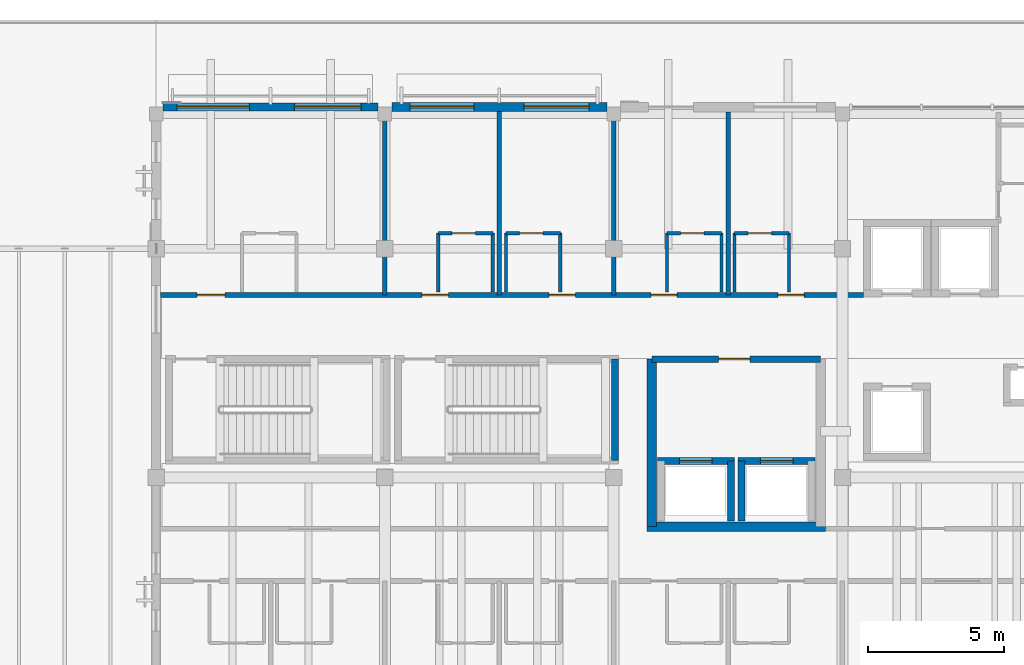
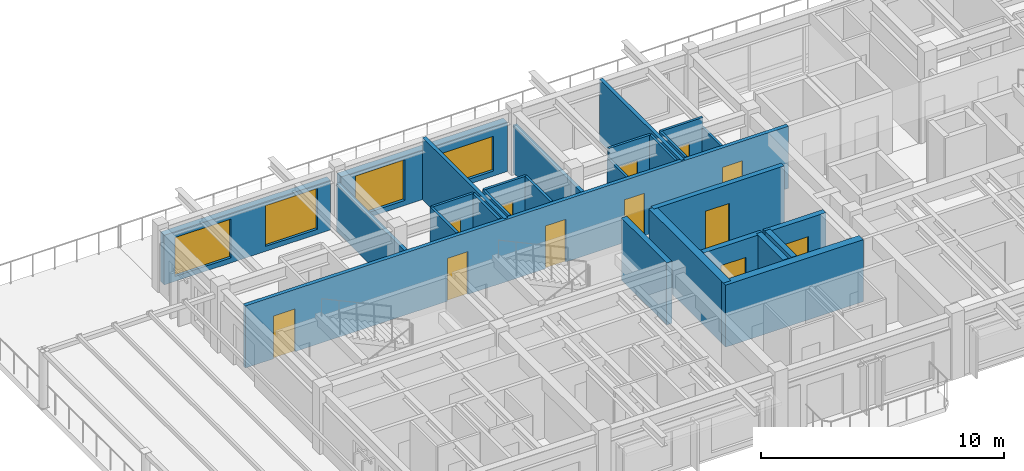
# One storey, part 12 of 22: 27 walls, 12 doors, 4 windows, 16 openings.
"""IFC4 building model written with IfcOpenShell, lengths in metres."""

from ifc_helpers import new_model, si_unit, direction, frame, frame_2d, origin, place, context, subcontext, project, spatial, rectangle, extrude, material, layer, layer_set, type_object, element, fill, save


model = new_model("IFC4")

# Units and contexts
model_context = context("Model", 3, precision=1e-05, world=origin(), true_north=direction((0.0, 1.0)))
body_context = subcontext(model_context, "Body", "Model", "MODEL_VIEW")
ifc_project = project(units=[si_unit("LENGTHUNIT", "METRE"), si_unit("AREAUNIT", "SQUARE_METRE"), si_unit("VOLUMEUNIT", "CUBIC_METRE"), si_unit("PLANEANGLEUNIT", "RADIAN"), si_unit("MASSUNIT", "GRAM", prefix="KILO")], contexts=[model_context])

# Site, building, storey
site_placement = place(None, origin())
site = spatial("IfcSite", under=ifc_project, at=site_placement, CompositionType="ELEMENT")
building_placement = place(site_placement, origin())
building = spatial("IfcBuilding", under=site, at=building_placement, Name="Cumbredor Promenade Congress Hotel", CompositionType="ELEMENT")
storey_placement = place(building_placement, frame((0.0, 0.0, 28.56005859375)))
storey = spatial("IfcBuildingStorey", under=building, at=storey_placement, Name="L08", CompositionType="ELEMENT", Elevation=28.56005859375)

# Walls
ifc_material_1 = material(Name="Concrete C50/60", Category="concrete")
ifc_layer_1 = layer(ifc_material_1, 0.35009765625, Name="Concrete C50/60", Category="concrete")
ifc_layer_set_1 = layer_set([ifc_layer_1], Name="Concrete C50/60")
wall_type_1 = type_object("IfcWallType", Name="Seismic Shear Core Wall 350mm", PredefinedType="SHEAR", material=ifc_layer_set_1)
wall_1_placement = place(storey_placement, frame((26.60009765625, 99.0, 0.0), z_axis=(0.0, 0.0, 1.0), x_axis=(0.0, 1.0, 0.0)))
element("IfcWall", 1, at=wall_1_placement, inside=storey, type_object=wall_type_1, Name="L08 Hotel Core Shear Wall W1", PredefinedType="SHEAR", context=body_context, shape_type="SweptSolid", body=[
    extrude(rectangle(XDim=6.14990234375, YDim=0.35009765625, at=frame_2d((3.074951171875, 0.0))), origin(), (0.0, 0.0, 1.0), 3.119873046875),
])
wall_2_placement = place(storey_placement, frame((26.425048828125, 99.0, 0.0), z_axis=(0.0, 0.0, 1.0), x_axis=(1.0, 0.0, 0.0)))
element("IfcWall", 2, at=wall_2_placement, inside=storey, type_object=wall_type_1, Name="L08 Hotel Core Shear Wall S1", PredefinedType="SHEAR", context=body_context, shape_type="SweptSolid", body=[
    extrude(rectangle(XDim=6.550048828125, YDim=0.35009765625, at=frame_2d((3.27490234375, 0.0))), origin(), (0.0, 0.0, 1.0), 3.119873046875),
])

# Wall, opening, door
ifc_material_2 = material(Name="Moisture-resistant gypsum board on steel studs", Category="steel")
ifc_layer_2 = layer(ifc_material_2, 0.114990234375, Name="Moisture-resistant gypsum board on steel studs", Category="steel")
ifc_layer_set_2 = layer_set([ifc_layer_2], Name="Moisture-resistant gypsum board on steel studs")
wall_type_2 = type_object("IfcWallType", Name="WL-BATH-115", PredefinedType="PARTITIONING", material=ifc_layer_set_2)
wall_3_placement = place(storey_placement, frame((18.760009765625, 109.77001953125, 0.0), z_axis=(0.0, 0.0, 1.0), x_axis=(1.0, 0.0, 0.0)))
wall_3 = element("IfcWall", 3, at=wall_3_placement, inside=storey, type_object=wall_type_2, Name="L08 Interior Partition W-L08-BH-0802", PredefinedType="PARTITIONING", context=body_context, shape_type="SweptSolid", body=[
    extrude(rectangle(XDim=2.0, YDim=0.114990234375, at=frame_2d((1.0, 0.0))), origin(), (0.0, 0.0, 1.0), 3.119873046875),
])
opening_1_placement = place(wall_3_placement, frame((0.5, 0.0, 0.0)))
opening_1 = element("IfcOpeningElement", 4, at=opening_1_placement, cuts=wall_3, Name="Opening ID-01", PredefinedType="OPENING", context=body_context, shape_type="SweptSolid", body=[
    extrude(rectangle(XDim=0.860107421875, YDim=2.050048828125, at=frame_2d((0.43017578125, 1.02490234375))), frame((0.0, 0.0673828125, 0.0), z_axis=(0.0, -1.0, 0.0), x_axis=(1.0, 0.0, 0.0)), (0.0, 0.0, 1.0), 0.135009765625),
])
ifc_material_3 = material(Name="Kiln-dried tropical hardwood", Category="wood")
door_type_1 = type_object("IfcDoorType", Name="DR-BATH-860", OperationType="NOTDEFINED", PredefinedType="DOOR", material=ifc_material_3)
door_1_placement = place(opening_1_placement, origin())
door_1 = element("IfcDoor", 5, at=door_1_placement, inside=storey, type_object=door_type_1, Name="L08 Interior Door W-L08-BH-0802-01", OperationType="SINGLE_SWING_RIGHT", OverallHeight=2.050048828125, OverallWidth=0.860107421875, PredefinedType="DOOR", context=body_context, shape_type="SweptSolid", body=[
    extrude(rectangle(XDim=0.860107421875, YDim=2.050048828125, at=frame_2d((0.43017578125, 1.02490234375))), frame((0.0, 0.02490234375, 0.0), z_axis=(0.0, -1.0, 0.0), x_axis=(1.0, 0.0, 0.0)), (0.0, 0.0, 1.0), 0.050048828125),
])
fill(opening_1, door_1)

# Walls
for number, where, z_axis, x_axis, name in (
    (6, (18.760009765625, 107.6201171875, 0.0), (0.0, 0.0, 1.0), (0.0, 1.0, 0.0), "L08 Interior Partition W-L08-BV1-0802"),
    (7, (20.760009765625, 107.6201171875, 0.0), (0.0, 0.0, 1.0), (0.0, 1.0, 0.0), "L08 Interior Partition W-L08-BV2-0802"),
):
    element("IfcWall", number, at=place(storey_placement, frame(where, z_axis=z_axis, x_axis=x_axis)), inside=storey, type_object=wall_type_2, Name=name, PredefinedType="PARTITIONING", context=body_context, shape_type="SweptSolid", body=[
        extrude(rectangle(XDim=2.14990234375, YDim=0.114990234375, at=frame_2d((1.074951171875, 0.0))), origin(), (0.0, 0.0, 1.0), 3.119873046875),
    ])

# Wall, opening, door
wall_4_placement = place(storey_placement, frame((21.239990234375, 109.77001953125, 0.0), z_axis=(0.0, 0.0, 1.0), x_axis=(1.0, 0.0, 0.0)))
wall_4 = element("IfcWall", 8, at=wall_4_placement, inside=storey, type_object=wall_type_2, Name="L08 Interior Partition W-L08-BH-0803", PredefinedType="PARTITIONING", context=body_context, shape_type="SweptSolid", body=[
    extrude(rectangle(XDim=2.0, YDim=0.114990234375, at=frame_2d((1.0, 0.0))), origin(), (0.0, 0.0, 1.0), 3.119873046875),
])
opening_2_placement = place(wall_4_placement, frame((0.5, 0.0, 0.0)))
opening_2 = element("IfcOpeningElement", 9, at=opening_2_placement, cuts=wall_4, Name="Opening ID-01", PredefinedType="OPENING", context=body_context, shape_type="SweptSolid", body=[
    extrude(rectangle(XDim=0.860107421875, YDim=2.050048828125, at=frame_2d((0.43017578125, 1.02490234375))), frame((0.0, 0.0673828125, 0.0), z_axis=(0.0, -1.0, 0.0), x_axis=(1.0, 0.0, 0.0)), (0.0, 0.0, 1.0), 0.135009765625),
])
door_2_placement = place(opening_2_placement, origin())
door_2 = element("IfcDoor", 10, at=door_2_placement, inside=storey, type_object=door_type_1, Name="L08 Interior Door W-L08-BH-0803-01", OperationType="SINGLE_SWING_LEFT", OverallHeight=2.050048828125, OverallWidth=0.860107421875, PredefinedType="DOOR", context=body_context, shape_type="SweptSolid", body=[
    extrude(rectangle(XDim=0.860107421875, YDim=2.050048828125, at=frame_2d((0.43017578125, 1.02490234375))), frame((0.0, 0.02490234375, 0.0), z_axis=(0.0, -1.0, 0.0), x_axis=(1.0, 0.0, 0.0)), (0.0, 0.0, 1.0), 0.050048828125),
])
fill(opening_2, door_2)

# Walls
for number, where, z_axis, x_axis, name in (
    (11, (21.239990234375, 107.6201171875, 0.0), (0.0, 0.0, 1.0), (0.0, 1.0, 0.0), "L08 Interior Partition W-L08-BV1-0803"),
    (12, (23.239990234375, 107.6201171875, 0.0), (0.0, 0.0, 1.0), (0.0, 1.0, 0.0), "L08 Interior Partition W-L08-BV2-0803"),
):
    element("IfcWall", number, at=place(storey_placement, frame(where, z_axis=z_axis, x_axis=x_axis)), inside=storey, type_object=wall_type_2, Name=name, PredefinedType="PARTITIONING", context=body_context, shape_type="SweptSolid", body=[
        extrude(rectangle(XDim=2.14990234375, YDim=0.114990234375, at=frame_2d((1.074951171875, 0.0))), origin(), (0.0, 0.0, 1.0), 3.119873046875),
    ])

# Wall, opening, door
wall_5_placement = place(storey_placement, frame((27.159912109375, 109.77001953125, 0.0), z_axis=(0.0, 0.0, 1.0), x_axis=(1.0, 0.0, 0.0)))
wall_5 = element("IfcWall", 13, at=wall_5_placement, inside=storey, type_object=wall_type_2, Name="L08 Interior Partition W-L08-BH-0804", PredefinedType="PARTITIONING", context=body_context, shape_type="SweptSolid", body=[
    extrude(rectangle(XDim=2.0, YDim=0.114990234375, at=frame_2d((1.0, 0.0))), origin(), (0.0, 0.0, 1.0), 3.119873046875),
])
opening_3_placement = place(wall_5_placement, frame((0.5, 0.0, 0.0)))
opening_3 = element("IfcOpeningElement", 14, at=opening_3_placement, cuts=wall_5, Name="Opening ID-01", PredefinedType="OPENING", context=body_context, shape_type="SweptSolid", body=[
    extrude(rectangle(XDim=0.860107421875, YDim=2.050048828125, at=frame_2d((0.43017578125, 1.02490234375))), frame((0.0, 0.0673828125, 0.0), z_axis=(0.0, -1.0, 0.0), x_axis=(1.0, 0.0, 0.0)), (0.0, 0.0, 1.0), 0.135009765625),
])
door_3_placement = place(opening_3_placement, origin())
door_3 = element("IfcDoor", 15, at=door_3_placement, inside=storey, type_object=door_type_1, Name="L08 Interior Door W-L08-BH-0804-01", OperationType="SINGLE_SWING_RIGHT", OverallHeight=2.050048828125, OverallWidth=0.860107421875, PredefinedType="DOOR", context=body_context, shape_type="SweptSolid", body=[
    extrude(rectangle(XDim=0.860107421875, YDim=2.050048828125, at=frame_2d((0.43017578125, 1.02490234375))), frame((0.0, 0.02490234375, 0.0), z_axis=(0.0, -1.0, 0.0), x_axis=(1.0, 0.0, 0.0)), (0.0, 0.0, 1.0), 0.050048828125),
])
fill(opening_3, door_3)

# Walls
wall_6_placement = place(storey_placement, frame((27.159912109375, 107.6201171875, 0.0), z_axis=(0.0, 0.0, 1.0), x_axis=(0.0, 1.0, 0.0)))
element("IfcWall", 16, at=wall_6_placement, inside=storey, type_object=wall_type_2, Name="L08 Interior Partition W-L08-BV1-0804", PredefinedType="PARTITIONING", context=body_context, shape_type="SweptSolid", body=[
    extrude(rectangle(XDim=2.14990234375, YDim=0.114990234375, at=frame_2d((1.074951171875, 0.0))), origin(), (0.0, 0.0, 1.0), 2.641845703125),
])
wall_7_placement = place(storey_placement, frame((29.159912109375, 107.6201171875, 0.0), z_axis=(0.0, 0.0, 1.0), x_axis=(0.0, 1.0, 0.0)))
element("IfcWall", 17, at=wall_7_placement, inside=storey, type_object=wall_type_2, Name="L08 Interior Partition W-L08-BV2-0804", PredefinedType="PARTITIONING", context=body_context, shape_type="SweptSolid", body=[
    extrude(rectangle(XDim=2.14990234375, YDim=0.114990234375, at=frame_2d((1.074951171875, 0.0))), origin(), (0.0, 0.0, 1.0), 3.119873046875),
])

# Wall, opening, door
wall_8_placement = place(storey_placement, frame((29.639892578125, 109.77001953125, 0.0), z_axis=(0.0, 0.0, 1.0), x_axis=(1.0, 0.0, 0.0)))
wall_8 = element("IfcWall", 18, at=wall_8_placement, inside=storey, type_object=wall_type_2, Name="L08 Interior Partition W-L08-BH-0805", PredefinedType="PARTITIONING", context=body_context, shape_type="SweptSolid", body=[
    extrude(rectangle(XDim=2.0, YDim=0.114990234375, at=frame_2d((1.0, 0.0))), origin(), (0.0, 0.0, 1.0), 3.119873046875),
])
opening_4_placement = place(wall_8_placement, frame((0.5, 0.0, 0.0)))
opening_4 = element("IfcOpeningElement", 19, at=opening_4_placement, cuts=wall_8, Name="Opening ID-01", PredefinedType="OPENING", context=body_context, shape_type="SweptSolid", body=[
    extrude(rectangle(XDim=0.860107421875, YDim=2.050048828125, at=frame_2d((0.43017578125, 1.02490234375))), frame((0.0, 0.0673828125, 0.0), z_axis=(0.0, -1.0, 0.0), x_axis=(1.0, 0.0, 0.0)), (0.0, 0.0, 1.0), 0.135009765625),
])
door_4_placement = place(opening_4_placement, origin())
door_4 = element("IfcDoor", 20, at=door_4_placement, inside=storey, type_object=door_type_1, Name="L08 Interior Door W-L08-BH-0805-01", OperationType="SINGLE_SWING_LEFT", OverallHeight=2.050048828125, OverallWidth=0.860107421875, PredefinedType="DOOR", context=body_context, shape_type="SweptSolid", body=[
    extrude(rectangle(XDim=0.860107421875, YDim=2.050048828125, at=frame_2d((0.43017578125, 1.02490234375))), frame((0.0, 0.02490234375, 0.0), z_axis=(0.0, -1.0, 0.0), x_axis=(1.0, 0.0, 0.0)), (0.0, 0.0, 1.0), 0.050048828125),
])
fill(opening_4, door_4)

# Walls
wall_9_placement = place(storey_placement, frame((29.639892578125, 107.6201171875, 0.0), z_axis=(0.0, 0.0, 1.0), x_axis=(0.0, 1.0, 0.0)))
element("IfcWall", 21, at=wall_9_placement, inside=storey, type_object=wall_type_2, Name="L08 Interior Partition W-L08-BV1-0805", PredefinedType="PARTITIONING", context=body_context, shape_type="SweptSolid", body=[
    extrude(rectangle(XDim=2.14990234375, YDim=0.114990234375, at=frame_2d((1.074951171875, 0.0))), origin(), (0.0, 0.0, 1.0), 3.119873046875),
])
wall_10_placement = place(storey_placement, frame((31.639892578125, 107.6201171875, 0.0), z_axis=(0.0, 0.0, 1.0), x_axis=(0.0, 1.0, 0.0)))
element("IfcWall", 22, at=wall_10_placement, inside=storey, type_object=wall_type_2, Name="L08 Interior Partition W-L08-BV2-0805", PredefinedType="PARTITIONING", context=body_context, shape_type="SweptSolid", body=[
    extrude(rectangle(XDim=2.14990234375, YDim=0.114990234375, at=frame_2d((1.074951171875, 0.0))), origin(), (0.0, 0.0, 1.0), 2.641845703125),
])

# Wall, openings, doors
ifc_material_4 = material(Name="Fire-rated hotel corridor wall")
ifc_layer_3 = layer(ifc_material_4, 0.179931640625, Name="Fire-rated hotel corridor wall")
ifc_layer_set_3 = layer_set([ifc_layer_3], Name="Fire-rated hotel corridor wall")
wall_type_3 = type_object("IfcWallType", Name="WL-CORR-180", PredefinedType="PARTITIONING", material=ifc_layer_set_3)
wall_11_placement = place(storey_placement, frame((8.5625, 107.5, 0.0), z_axis=(0.0, 0.0, 1.0), x_axis=(1.0, 0.0, 0.0)))
wall_11 = element("IfcWall", 23, at=wall_11_placement, inside=storey, type_object=wall_type_3, Name="L08 Interior Partition W-L08-CORR-NW", PredefinedType="PARTITIONING", context=body_context, shape_type="SweptSolid", body=[
    extrude(rectangle(XDim=25.8076171875, YDim=0.179931640625, at=frame_2d((12.90380859375, 0.0))), origin(), (0.0, 0.0, 1.0), 3.119873046875),
])
opening_5_placement = place(wall_11_placement, frame((1.337890625, 0.0, 0.0)))
opening_5 = element("IfcOpeningElement", 24, at=opening_5_placement, cuts=wall_11, Name="Opening FD-02", PredefinedType="OPENING", context=body_context, shape_type="SweptSolid", body=[
    extrude(rectangle(XDim=1.02001953125, YDim=2.14990234375, at=frame_2d((0.510009765625, 1.074951171875))), frame((0.0, 0.10009765625, 0.0), z_axis=(0.0, -1.0, 0.0), x_axis=(1.0, 0.0, 0.0)), (0.0, 0.0, 1.0), 0.199951171875),
])
opening_6_placement = place(wall_11_placement, frame((9.60791015625, 0.0, 0.0)))
opening_6 = element("IfcOpeningElement", 25, at=opening_6_placement, cuts=wall_11, Name="Opening FD-01", PredefinedType="OPENING", context=body_context, shape_type="SweptSolid", body=[
    extrude(rectangle(XDim=0.9599609375, YDim=2.14990234375, at=frame_2d((0.47998046875, 1.074951171875))), frame((0.0, 0.10009765625, 0.0), z_axis=(0.0, -1.0, 0.0), x_axis=(1.0, 0.0, 0.0)), (0.0, 0.0, 1.0), 0.199951171875),
])
opening_7_placement = place(wall_11_placement, frame((14.26708984375, 0.0, 0.0)))
opening_7 = element("IfcOpeningElement", 26, at=opening_7_placement, cuts=wall_11, Name="Opening FD-01", PredefinedType="OPENING", context=body_context, shape_type="SweptSolid", body=[
    extrude(rectangle(XDim=0.9599609375, YDim=2.14990234375, at=frame_2d((0.47998046875, 1.074951171875))), frame((0.0, 0.10009765625, 0.0), z_axis=(0.0, -1.0, 0.0), x_axis=(1.0, 0.0, 0.0)), (0.0, 0.0, 1.0), 0.199951171875),
])
opening_8_placement = place(wall_11_placement, frame((18.008056640625, 0.0, 0.0)))
opening_8 = element("IfcOpeningElement", 27, at=opening_8_placement, cuts=wall_11, Name="Opening FD-01", PredefinedType="OPENING", context=body_context, shape_type="SweptSolid", body=[
    extrude(rectangle(XDim=0.9599609375, YDim=2.14990234375, at=frame_2d((0.47998046875, 1.074951171875))), frame((0.0, 0.10009765625, 0.0), z_axis=(0.0, -1.0, 0.0), x_axis=(1.0, 0.0, 0.0)), (0.0, 0.0, 1.0), 0.199951171875),
])
opening_9_placement = place(wall_11_placement, frame((22.66796875, 0.0, 0.0)))
opening_9 = element("IfcOpeningElement", 28, at=opening_9_placement, cuts=wall_11, Name="Opening FD-01", PredefinedType="OPENING", context=body_context, shape_type="SweptSolid", body=[
    extrude(rectangle(XDim=0.9599609375, YDim=2.14990234375, at=frame_2d((0.47998046875, 1.074951171875))), frame((0.0, 0.10009765625, 0.0), z_axis=(0.0, -1.0, 0.0), x_axis=(1.0, 0.0, 0.0)), (0.0, 0.0, 1.0), 0.199951171875),
])
ifc_material_5 = material(Name="Solid-core fire-rated tropical hardwood", Category="wood")
door_type_2 = type_object("IfcDoorType", Name="DR-GUEST-FD30-1000", OperationType="NOTDEFINED", PredefinedType="DOOR", material=ifc_material_5)
door_5_placement = place(opening_5_placement, origin())
door_5 = element("IfcDoor", 29, at=door_5_placement, inside=storey, type_object=door_type_2, Name="L08 Interior Door W-L08-CORR-NW-01", OperationType="SINGLE_SWING_RIGHT", OverallHeight=2.14990234375, OverallWidth=1.02001953125, PredefinedType="DOOR", context=body_context, shape_type="SweptSolid", body=[
    extrude(rectangle(XDim=1.02001953125, YDim=2.14990234375, at=frame_2d((0.510009765625, 1.074951171875))), frame((0.0, 0.02490234375, 0.0), z_axis=(0.0, -1.0, 0.0), x_axis=(1.0, 0.0, 0.0)), (0.0, 0.0, 1.0), 0.050048828125),
])
fill(opening_5, door_5)
door_type_3 = type_object("IfcDoorType", Name="DR-GUEST-FD30-950", OperationType="NOTDEFINED", PredefinedType="DOOR", material=ifc_material_5)
door_6_placement = place(opening_6_placement, origin())
door_6 = element("IfcDoor", 30, at=door_6_placement, inside=storey, type_object=door_type_3, Name="L08 Interior Door W-L08-CORR-NW-02", OperationType="SINGLE_SWING_LEFT", OverallHeight=2.14990234375, OverallWidth=0.9599609375, PredefinedType="DOOR", context=body_context, shape_type="SweptSolid", body=[
    extrude(rectangle(XDim=0.9599609375, YDim=2.14990234375, at=frame_2d((0.47998046875, 1.074951171875))), frame((0.0, 0.02490234375, 0.0), z_axis=(0.0, -1.0, 0.0), x_axis=(1.0, 0.0, 0.0)), (0.0, 0.0, 1.0), 0.050048828125),
])
fill(opening_6, door_6)
door_7_placement = place(opening_7_placement, origin())
door_7 = element("IfcDoor", 31, at=door_7_placement, inside=storey, type_object=door_type_3, Name="L08 Interior Door W-L08-CORR-NW-03", OperationType="SINGLE_SWING_RIGHT", OverallHeight=2.14990234375, OverallWidth=0.9599609375, PredefinedType="DOOR", context=body_context, shape_type="SweptSolid", body=[
    extrude(rectangle(XDim=0.9599609375, YDim=2.14990234375, at=frame_2d((0.47998046875, 1.074951171875))), frame((0.0, 0.02490234375, 0.0), z_axis=(0.0, -1.0, 0.0), x_axis=(1.0, 0.0, 0.0)), (0.0, 0.0, 1.0), 0.050048828125),
])
fill(opening_7, door_7)
door_8_placement = place(opening_8_placement, origin())
door_8 = element("IfcDoor", 32, at=door_8_placement, inside=storey, type_object=door_type_3, Name="L08 Interior Door W-L08-CORR-NW-04", OperationType="SINGLE_SWING_LEFT", OverallHeight=2.14990234375, OverallWidth=0.9599609375, PredefinedType="DOOR", context=body_context, shape_type="SweptSolid", body=[
    extrude(rectangle(XDim=0.9599609375, YDim=2.14990234375, at=frame_2d((0.47998046875, 1.074951171875))), frame((0.0, 0.02490234375, 0.0), z_axis=(0.0, -1.0, 0.0), x_axis=(1.0, 0.0, 0.0)), (0.0, 0.0, 1.0), 0.050048828125),
])
fill(opening_8, door_8)
door_9_placement = place(opening_9_placement, origin())
door_9 = element("IfcDoor", 33, at=door_9_placement, inside=storey, type_object=door_type_3, Name="L08 Interior Door W-L08-CORR-NW-05", OperationType="SINGLE_SWING_RIGHT", OverallHeight=2.14990234375, OverallWidth=0.9599609375, PredefinedType="DOOR", context=body_context, shape_type="SweptSolid", body=[
    extrude(rectangle(XDim=0.9599609375, YDim=2.14990234375, at=frame_2d((0.47998046875, 1.074951171875))), frame((0.0, 0.02490234375, 0.0), z_axis=(0.0, -1.0, 0.0), x_axis=(1.0, 0.0, 0.0)), (0.0, 0.0, 1.0), 0.050048828125),
])
fill(opening_9, door_9)

# Wall, openings, windows
ifc_material_6 = material(Name="Concrete C40/50", Category="concrete")
ifc_layer_4 = layer(ifc_material_6, 0.300048828125, Name="Concrete C40/50", Category="concrete")
ifc_layer_set_4 = layer_set([ifc_layer_4], Name="Concrete C40/50")
wall_type_4 = type_object("IfcWallType", Name="WL-EXT-300", PredefinedType="SOLIDWALL", material=ifc_layer_set_4)
wall_12_placement = place(storey_placement, frame((8.65087890625, 114.39990234375, 0.0), z_axis=(0.0, 0.0, 1.0), x_axis=(1.0, 0.0, 0.0)))
wall_12 = element("IfcWall", 34, at=wall_12_placement, inside=storey, type_object=wall_type_4, Name="L08 Stepped Congress Hotel Wing North Envelope Wall 1", PredefinedType="SOLIDWALL", context=body_context, shape_type="SweptSolid", body=[
    extrude(rectangle(XDim=7.898193359375, YDim=0.300048828125, at=frame_2d((3.94921875, 0.0))), origin(), (0.0, 0.0, 1.0), 2.493896484375),
])
opening_10_placement = place(wall_12_placement, frame((0.52392578125, 0.0, 0.25)))
opening_10 = element("IfcOpeningElement", 35, at=opening_10_placement, cuts=wall_12, Name="Opening WN-11", PredefinedType="OPENING", context=body_context, shape_type="SweptSolid", body=[
    extrude(rectangle(XDim=2.64990234375, YDim=1.949951171875, at=frame_2d((1.324951171875, 0.97509765625))), frame((0.0, 0.16015625, 0.0), z_axis=(0.0, -1.0, 0.0), x_axis=(1.0, 0.0, 0.0)), (0.0, 0.0, 1.0), 0.320068359375),
])
opening_11_placement = place(wall_12_placement, frame((4.823974609375, 0.0, 0.25)))
opening_11 = element("IfcOpeningElement", 36, at=opening_11_placement, cuts=wall_12, Name="Opening WN-15", PredefinedType="OPENING", context=body_context, shape_type="SweptSolid", body=[
    extrude(rectangle(XDim=2.449951171875, YDim=2.050048828125, at=frame_2d((1.22509765625, 1.02490234375))), frame((0.0, 0.16015625, 0.0), z_axis=(0.0, -1.0, 0.0), x_axis=(1.0, 0.0, 0.0)), (0.0, 0.0, 1.0), 0.320068359375),
])
ifc_material_7 = material(Name="Thermally broken anodized aluminium and low-E glass", Category="aluminium")
window_type_1 = type_object("IfcWindowType", Name="Hospitality Floor-to-Ceiling Window WN-11 2650x1950", PartitioningType="DOUBLE_PANEL_VERTICAL", PredefinedType="WINDOW", material=ifc_material_7)
window_1_placement = place(opening_10_placement, origin())
window_1 = element("IfcWindow", 37, at=window_1_placement, inside=storey, type_object=window_type_1, Name="L08 Wide Hospitality Window 0658", OverallHeight=1.949951171875, OverallWidth=2.64990234375, PartitioningType="DOUBLE_PANEL_VERTICAL", PredefinedType="WINDOW", context=body_context, shape_type="SweptSolid", body=[
    extrude(rectangle(XDim=2.64990234375, YDim=1.949951171875, at=frame_2d((1.324951171875, 0.97509765625))), frame((0.0, 0.030029296875, 0.0), z_axis=(0.0, -1.0, 0.0), x_axis=(1.0, 0.0, 0.0)), (0.0, 0.0, 1.0), 0.06005859375),
])
fill(opening_10, window_1)
window_type_2 = type_object("IfcWindowType", Name="Hospitality Floor-to-Ceiling Window WN-15 2450x2050", PartitioningType="DOUBLE_PANEL_VERTICAL", PredefinedType="WINDOW", material=ifc_material_7)
window_2_placement = place(opening_11_placement, origin())
window_2 = element("IfcWindow", 38, at=window_2_placement, inside=storey, type_object=window_type_2, Name="L08 Wide Hospitality Window 0659", OverallHeight=2.050048828125, OverallWidth=2.449951171875, PartitioningType="DOUBLE_PANEL_VERTICAL", PredefinedType="WINDOW", context=body_context, shape_type="SweptSolid", body=[
    extrude(rectangle(XDim=2.449951171875, YDim=2.050048828125, at=frame_2d((1.22509765625, 1.02490234375))), frame((0.0, 0.030029296875, 0.0), z_axis=(0.0, -1.0, 0.0), x_axis=(1.0, 0.0, 0.0)), (0.0, 0.0, 1.0), 0.06005859375),
])
fill(opening_11, window_2)

ifc_layer_5 = layer(ifc_material_6, 0.324951171875, Name="Concrete C40/50", Category="concrete")
ifc_layer_set_5 = layer_set([ifc_layer_5], Name="Concrete C40/50")
wall_type_5 = type_object("IfcWallType", Name="WL-EXT-325", PredefinedType="SOLIDWALL", material=ifc_layer_set_5)
wall_13_placement = place(storey_placement, frame((17.051025390625, 114.39990234375, 0.0), z_axis=(0.0, 0.0, 1.0), x_axis=(1.0, 0.0, 0.0)))
wall_13 = element("IfcWall", 39, at=wall_13_placement, inside=storey, type_object=wall_type_5, Name="L08 Stepped Congress Hotel Wing North Envelope Wall 2", PredefinedType="SOLIDWALL", context=body_context, shape_type="SweptSolid", body=[
    extrude(rectangle(XDim=7.89794921875, YDim=0.324951171875, at=frame_2d((3.948974609375, 0.0))), origin(), (0.0, 0.0, 1.0), 2.493896484375),
])
opening_12_placement = place(wall_13_placement, frame((0.674072265625, 0.0, 0.25)))
opening_12 = element("IfcOpeningElement", 40, at=opening_12_placement, cuts=wall_13, Name="Opening WN-14", PredefinedType="OPENING", context=body_context, shape_type="SweptSolid", body=[
    extrude(rectangle(XDim=2.35009765625, YDim=2.050048828125, at=frame_2d((1.175048828125, 1.02490234375))), frame((0.0, 0.17236328125, 0.0), z_axis=(0.0, -1.0, 0.0), x_axis=(1.0, 0.0, 0.0)), (0.0, 0.0, 1.0), 0.344970703125),
])
opening_13_placement = place(wall_13_placement, frame((4.84912109375, 0.0, 0.25)))
opening_13 = element("IfcOpeningElement", 41, at=opening_13_placement, cuts=wall_13, Name="Opening WN-26", PredefinedType="OPENING", context=body_context, shape_type="SweptSolid", body=[
    extrude(rectangle(XDim=2.39990234375, YDim=1.75, at=frame_2d((1.199951171875, 0.875))), frame((0.0, 0.17236328125, 0.0), z_axis=(0.0, -1.0, 0.0), x_axis=(1.0, 0.0, 0.0)), (0.0, 0.0, 1.0), 0.344970703125),
])
window_type_3 = type_object("IfcWindowType", Name="Hospitality Floor-to-Ceiling Window WN-14 2350x2050", PartitioningType="DOUBLE_PANEL_VERTICAL", PredefinedType="WINDOW", material=ifc_material_7)
window_3_placement = place(opening_12_placement, origin())
window_3 = element("IfcWindow", 42, at=window_3_placement, inside=storey, type_object=window_type_3, Name="L08 Wide Hospitality Window 0660", OverallHeight=2.050048828125, OverallWidth=2.35009765625, PartitioningType="DOUBLE_PANEL_VERTICAL", PredefinedType="WINDOW", context=body_context, shape_type="SweptSolid", body=[
    extrude(rectangle(XDim=2.35009765625, YDim=2.050048828125, at=frame_2d((1.175048828125, 1.02490234375))), frame((0.0, 0.030029296875, 0.0), z_axis=(0.0, -1.0, 0.0), x_axis=(1.0, 0.0, 0.0)), (0.0, 0.0, 1.0), 0.06005859375),
])
fill(opening_12, window_3)
window_type_4 = type_object("IfcWindowType", Name="Hospitality Floor-to-Ceiling Window WN-26 2400x1750", PartitioningType="DOUBLE_PANEL_VERTICAL", PredefinedType="WINDOW", material=ifc_material_7)
window_4_placement = place(opening_13_placement, origin())
window_4 = element("IfcWindow", 43, at=window_4_placement, inside=storey, type_object=window_type_4, Name="L08 Wide Hospitality Window 0661", OverallHeight=1.75, OverallWidth=2.39990234375, PartitioningType="DOUBLE_PANEL_VERTICAL", PredefinedType="WINDOW", context=body_context, shape_type="SweptSolid", body=[
    extrude(rectangle(XDim=2.39990234375, YDim=1.75, at=frame_2d((1.199951171875, 0.875))), frame((0.0, 0.030029296875, 0.0), z_axis=(0.0, -1.0, 0.0), x_axis=(1.0, 0.0, 0.0)), (0.0, 0.0, 1.0), 0.06005859375),
])
fill(opening_13, window_4)

# Wall, opening, door
ifc_layer_6 = layer(ifc_material_6, 0.239990234375, Name="Concrete C40/50", Category="concrete")
ifc_layer_set_6 = layer_set([ifc_layer_6], Name="Concrete C40/50")
wall_type_6 = type_object("IfcWallType", Name="WL-FFL-240", PredefinedType="SOLIDWALL", material=ifc_layer_set_6)
wall_14_placement = place(storey_placement, frame((26.60009765625, 105.14990234375, 0.0), z_axis=(0.0, 0.0, 1.0), x_axis=(1.0, 0.0, 0.0)))
wall_14 = element("IfcWall", 44, at=wall_14_placement, inside=storey, type_object=wall_type_6, Name="L08 Interior Partition W-FFL-L08-N", PredefinedType="SOLIDWALL", context=body_context, shape_type="SweptSolid", body=[
    extrude(rectangle(XDim=6.199951171875, YDim=0.239990234375, at=frame_2d((3.10009765625, 0.0))), origin(), (0.0, 0.0, 1.0), 3.119873046875),
])
opening_14_placement = place(wall_14_placement, frame((2.449951171875, 0.0, 0.0)))
opening_14 = element("IfcOpeningElement", 45, at=opening_14_placement, cuts=wall_14, Name="Opening FD-05", PredefinedType="OPENING", context=body_context, shape_type="SweptSolid", body=[
    extrude(rectangle(XDim=1.14990234375, YDim=2.14990234375, at=frame_2d((0.574951171875, 1.074951171875))), frame((0.0, 0.1298828125, 0.0), z_axis=(0.0, -1.0, 0.0), x_axis=(1.0, 0.0, 0.0)), (0.0, 0.0, 1.0), 0.260009765625),
])
ifc_material_8 = material(Name="Painted galvanized steel fire door", Category="steel")
door_type_4 = type_object("IfcDoorType", Name="DR-SGL-FD60-1150", OperationType="NOTDEFINED", PredefinedType="DOOR", material=ifc_material_8)
door_10_placement = place(opening_14_placement, origin())
door_10 = element("IfcDoor", 46, at=door_10_placement, inside=storey, type_object=door_type_4, Name="L08 Interior Door W-FFL-L08-N-01", OperationType="SINGLE_SWING_LEFT", OverallHeight=2.14990234375, OverallWidth=1.14990234375, PredefinedType="DOOR", context=body_context, shape_type="SweptSolid", body=[
    extrude(rectangle(XDim=1.14990234375, YDim=2.14990234375, at=frame_2d((0.574951171875, 1.074951171875))), frame((0.0, 0.02490234375, 0.0), z_axis=(0.0, -1.0, 0.0), x_axis=(1.0, 0.0, 0.0)), (0.0, 0.0, 1.0), 0.050048828125),
])
fill(opening_14, door_10)

# Wall
ifc_layer_7 = layer(ifc_material_6, 0.2548828125, Name="Concrete C40/50", Category="concrete")
ifc_layer_set_7 = layer_set([ifc_layer_7], Name="Concrete C40/50")
wall_type_7 = type_object("IfcWallType", Name="WL-SHAFT-250", PredefinedType="SOLIDWALL", material=ifc_layer_set_7)
wall_15_placement = place(storey_placement, frame((25.25, 101.419921875, 0.0), z_axis=(0.0, 0.0, 1.0), x_axis=(0.0, 1.0, 0.0)))
element("IfcWall", 47, at=wall_15_placement, inside=storey, type_object=wall_type_7, Name="STAIR-ST-02-L08 Shaft Wall East", PredefinedType="SOLIDWALL", context=body_context, shape_type="SweptSolid", body=[
    extrude(rectangle(XDim=3.72998046875, YDim=0.2548828125, at=frame_2d((1.864990234375, 0.0))), origin(), (0.0, 0.0, 1.0), 3.119873046875),
])

# Wall, opening, door
wall_16_placement = place(storey_placement, frame((26.802490234375, 101.39990234375, 0.0), z_axis=(0.0, 0.0, 1.0), x_axis=(1.0, 0.0, 0.0)))
wall_16 = element("IfcWall", 48, at=wall_16_placement, inside=storey, type_object=wall_type_7, Name="SHAFT-FF-01-L08 Shaft Wall North", PredefinedType="SOLIDWALL", context=body_context, shape_type="SweptSolid", body=[
    extrude(rectangle(XDim=2.824951171875, YDim=0.2548828125, at=frame_2d((1.41259765625, 0.0))), origin(), (0.0, 0.0, 1.0), 3.119873046875),
])
opening_15_placement = place(wall_16_placement, frame((0.8125, 0.0, 0.0)))
opening_15 = element("IfcOpeningElement", 49, at=opening_15_placement, cuts=wall_16, Name="Opening LD-02", PredefinedType="OPENING", context=body_context, shape_type="SweptSolid", body=[
    extrude(rectangle(XDim=1.199951171875, YDim=2.199951171875, at=frame_2d((0.60009765625, 1.10009765625))), frame((0.0, 0.137451171875, 0.0), z_axis=(0.0, -1.0, 0.0), x_axis=(1.0, 0.0, 0.0)), (0.0, 0.0, 1.0), 0.27490234375),
])
ifc_material_9 = material(Name="Brushed stainless steel", Category="steel")
door_type_5 = type_object("IfcDoorType", Name="Firefighting Lift Sliding Door LD-02 1200x2200", OperationType="DOUBLE_DOOR_SLIDING", PredefinedType="DOOR", material=ifc_material_9)
door_11_placement = place(opening_15_placement, origin())
door_11 = element("IfcDoor", 50, at=door_11_placement, inside=storey, type_object=door_type_5, Name="L08 Firefighting Lift FF-01 Sliding Landing Door", OperationType="DOUBLE_DOOR_SLIDING", OverallHeight=2.199951171875, OverallWidth=1.199951171875, PredefinedType="DOOR", context=body_context, shape_type="SweptSolid", body=[
    extrude(rectangle(XDim=1.199951171875, YDim=2.199951171875, at=frame_2d((0.60009765625, 1.10009765625))), frame((0.0, 0.02490234375, 0.0), z_axis=(0.0, -1.0, 0.0), x_axis=(1.0, 0.0, 0.0)), (0.0, 0.0, 1.0), 0.050048828125),
])
fill(opening_15, door_11)

# Wall
wall_17_placement = place(storey_placement, frame((29.5, 99.199951171875, 0.0), z_axis=(0.0, 0.0, 1.0), x_axis=(0.0, 1.0, 0.0)))
element("IfcWall", 51, at=wall_17_placement, inside=storey, type_object=wall_type_7, Name="SHAFT-FF-01-L08 Shaft Wall East", PredefinedType="SOLIDWALL", context=body_context, shape_type="SweptSolid", body=[
    extrude(rectangle(XDim=2.199951171875, YDim=0.2548828125, at=frame_2d((1.10009765625, 0.0))), origin(), (0.0, 0.0, 1.0), 3.119873046875),
])

# Wall, opening, door
wall_18_placement = place(storey_placement, frame((29.7724609375, 101.39990234375, 0.0), z_axis=(0.0, 0.0, 1.0), x_axis=(1.0, 0.0, 0.0)))
wall_18 = element("IfcWall", 52, at=wall_18_placement, inside=storey, type_object=wall_type_7, Name="SHAFT-FF-02-L08 Shaft Wall North", PredefinedType="SOLIDWALL", context=body_context, shape_type="SweptSolid", body=[
    extrude(rectangle(XDim=2.824951171875, YDim=0.2548828125, at=frame_2d((1.41259765625, 0.0))), origin(), (0.0, 0.0, 1.0), 3.119873046875),
])
opening_16_placement = place(wall_18_placement, frame((0.8125, 0.0, 0.0)))
opening_16 = element("IfcOpeningElement", 53, at=opening_16_placement, cuts=wall_18, Name="Opening LD-02", PredefinedType="OPENING", context=body_context, shape_type="SweptSolid", body=[
    extrude(rectangle(XDim=1.199951171875, YDim=2.199951171875, at=frame_2d((0.60009765625, 1.10009765625))), frame((0.0, 0.137451171875, 0.0), z_axis=(0.0, -1.0, 0.0), x_axis=(1.0, 0.0, 0.0)), (0.0, 0.0, 1.0), 0.27490234375),
])
door_12_placement = place(opening_16_placement, origin())
door_12 = element("IfcDoor", 54, at=door_12_placement, inside=storey, type_object=door_type_5, Name="L08 Firefighting Lift FF-02 Sliding Landing Door", OperationType="DOUBLE_DOOR_SLIDING", OverallHeight=2.199951171875, OverallWidth=1.199951171875, PredefinedType="DOOR", context=body_context, shape_type="SweptSolid", body=[
    extrude(rectangle(XDim=1.199951171875, YDim=2.199951171875, at=frame_2d((0.60009765625, 1.10009765625))), frame((0.0, 0.02490234375, 0.0), z_axis=(0.0, -1.0, 0.0), x_axis=(1.0, 0.0, 0.0)), (0.0, 0.0, 1.0), 0.050048828125),
])
fill(opening_16, door_12)

# Walls
wall_19_placement = place(storey_placement, frame((29.89990234375, 99.199951171875, 0.0), z_axis=(0.0, 0.0, 1.0), x_axis=(0.0, 1.0, 0.0)))
element("IfcWall", 55, at=wall_19_placement, inside=storey, type_object=wall_type_7, Name="SHAFT-FF-02-L08 Shaft Wall West", PredefinedType="SOLIDWALL", context=body_context, shape_type="SweptSolid", body=[
    extrude(rectangle(XDim=2.199951171875, YDim=0.2548828125, at=frame_2d((1.10009765625, 0.0))), origin(), (0.0, 0.0, 1.0), 3.119873046875),
])
ifc_material_10 = material(Name="Fire-rated acoustic double-stud partition")
ifc_layer_8 = layer(ifc_material_10, 0.1650390625, Name="Fire-rated acoustic double-stud partition")
ifc_layer_set_8 = layer_set([ifc_layer_8], Name="Fire-rated acoustic double-stud partition")
wall_type_8 = type_object("IfcWallType", Name="WL-UNIT-165", PredefinedType="PARTITIONING", material=ifc_layer_set_8)
wall_20_placement = place(storey_placement, frame((21.0, 107.5, 0.0), z_axis=(0.0, 0.0, 1.0), x_axis=(0.0, 1.0, 0.0)))
element("IfcWall", 56, at=wall_20_placement, inside=storey, type_object=wall_type_8, Name="L08 Interior Partition W-L08-N-DIV-1-M", PredefinedType="PARTITIONING", context=body_context, shape_type="SweptSolid", body=[
    extrude(rectangle(XDim=6.737548828125, YDim=0.1650390625, at=frame_2d((3.36865234375, 0.0))), origin(), (0.0, 0.0, 1.0), 3.119873046875),
])
wall_21_placement = place(storey_placement, frame((16.800048828125, 107.5, 0.0), z_axis=(0.0, 0.0, 1.0), x_axis=(0.0, 1.0, 0.0)))
element("IfcWall", 57, at=wall_21_placement, inside=storey, type_object=wall_type_8, Name="L08 Interior Partition W-L08-N-DIV-1-G", PredefinedType="PARTITIONING", context=body_context, shape_type="SweptSolid", body=[
    extrude(rectangle(XDim=6.550048828125, YDim=0.1650390625, at=frame_2d((3.27490234375, 0.0))), origin(), (0.0, 0.0, 1.0), 2.409912109375),
])
wall_22_placement = place(storey_placement, frame((29.39990234375, 107.5, 0.0), z_axis=(0.0, 0.0, 1.0), x_axis=(0.0, 1.0, 0.0)))
element("IfcWall", 58, at=wall_22_placement, inside=storey, type_object=wall_type_8, Name="L08 Interior Partition W-L08-N-DIV-2-M", PredefinedType="PARTITIONING", context=body_context, shape_type="SweptSolid", body=[
    extrude(rectangle(XDim=6.72509765625, YDim=0.1650390625, at=frame_2d((3.362548828125, 0.0))), origin(), (0.0, 0.0, 1.0), 3.119873046875),
])
wall_23_placement = place(storey_placement, frame((25.199951171875, 107.5, 0.0), z_axis=(0.0, 0.0, 1.0), x_axis=(0.0, 1.0, 0.0)))
element("IfcWall", 59, at=wall_23_placement, inside=storey, type_object=wall_type_8, Name="L08 Interior Partition W-L08-N-DIV-2-G", PredefinedType="PARTITIONING", context=body_context, shape_type="SweptSolid", body=[
    extrude(rectangle(XDim=6.550048828125, YDim=0.1650390625, at=frame_2d((3.27490234375, 0.0))), origin(), (0.0, 0.0, 1.0), 2.409912109375),
])

save(model, "model.ifc")
